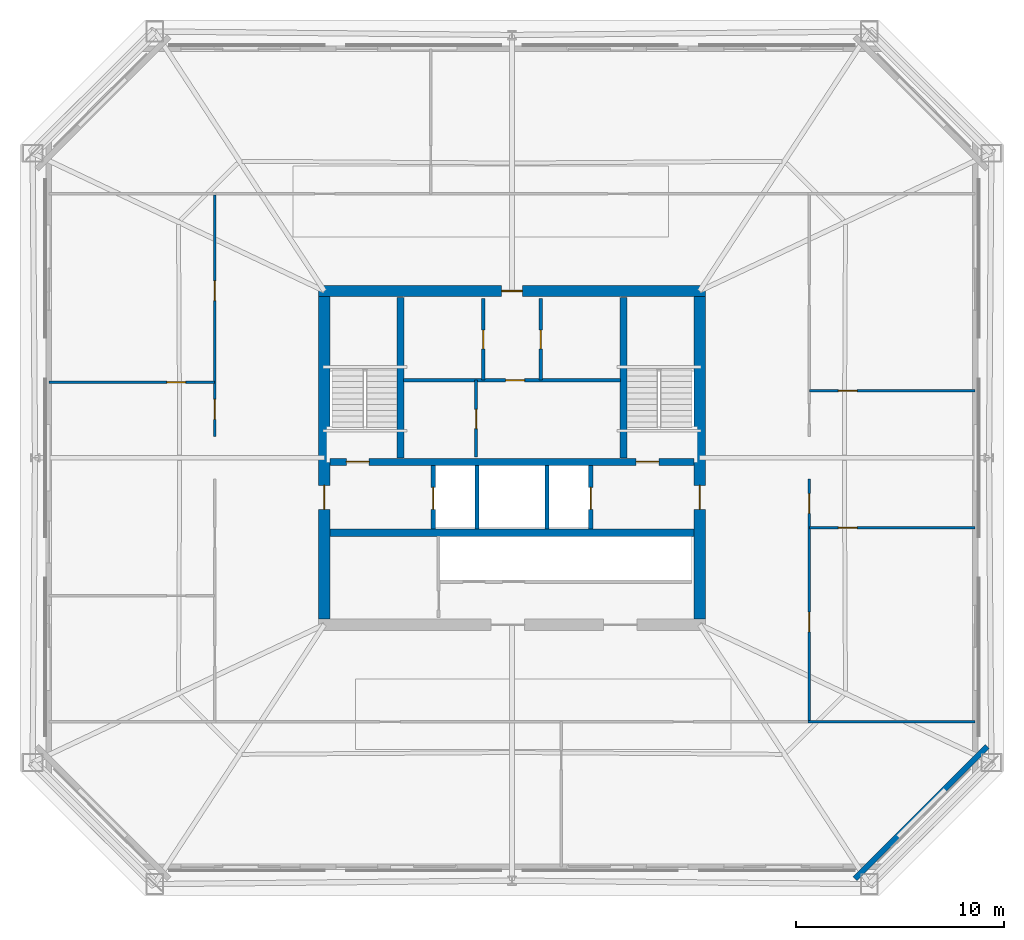
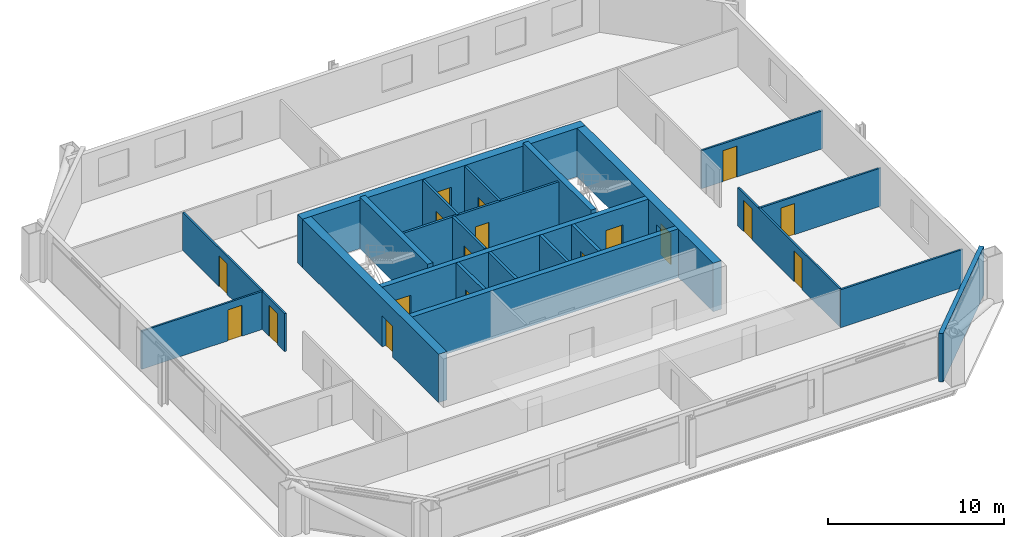
# One storey, part 3 of 6: 22 walls, 18 doors, 18 openings.
"""IFC4 building model written with IfcOpenShell, lengths in metres."""

from ifc_helpers import new_model, si_unit, direction, frame, frame_2d, origin, place, context, subcontext, project, spatial, rectangle, extrude, material, layer, layer_set, type_object, element, fill, save


model = new_model("IFC4")

# Units and contexts
model_context = context("Model", 3, precision=1e-05, world=origin(), true_north=direction((0.0, 1.0)))
body_context = subcontext(model_context, "Body", "Model", "MODEL_VIEW")
ifc_project = project(units=[si_unit("LENGTHUNIT", "METRE"), si_unit("AREAUNIT", "SQUARE_METRE"), si_unit("VOLUMEUNIT", "CUBIC_METRE"), si_unit("PLANEANGLEUNIT", "RADIAN"), si_unit("MASSUNIT", "GRAM", prefix="KILO")], contexts=[model_context])

# Site, building, storey
site_placement = place(None, origin())
site = spatial("IfcSite", under=ifc_project, at=site_placement, CompositionType="ELEMENT")
building_placement = place(site_placement, origin())
building = spatial("IfcBuilding", under=site, at=building_placement, Name="Caelvoria Tower", CompositionType="ELEMENT")
storey_placement = place(building_placement, frame((0.0, 0.0, 120.39990234375)))
storey = spatial("IfcBuildingStorey", under=building, at=storey_placement, Name="L31", CompositionType="ELEMENT", Elevation=120.39990234375)

# Wall, openings, doors
ifc_material_1 = material(Name="Concrete C50/60", Category="concrete")
ifc_layer_1 = layer(ifc_material_1, 0.35009765625, Name="Concrete C50/60")
ifc_layer_set_1 = layer_set([ifc_layer_1], Name="Core Internal Shear Wall 350 - Concrete C50/60")
wall_type_1 = type_object("IfcWallType", Name="Core Internal Shear Wall 350", PredefinedType="SHEAR", material=ifc_layer_set_1)
wall_1_placement = place(storey_placement, frame((37.27490234375, 31.800048828125, 0.0), z_axis=(0.0, 0.0, 1.0), x_axis=(1.0, 0.0, 0.0)))
wall_1 = element("IfcWall", 1, at=wall_1_placement, inside=storey, type_object=wall_type_1, Name="Core Shear Wall L31 M1", PredefinedType="SHEAR", context=body_context, shape_type="SweptSolid", body=[
    extrude(rectangle(XDim=17.4501953125, YDim=0.35009765625, at=frame_2d((8.72509765625, 0.0))), origin(), (0.0, 0.0, 1.0), 3.360107421875),
])
opening_1_placement = place(wall_1_placement, frame((0.77490234375, 0.0, 0.0)))
opening_1 = element("IfcOpeningElement", 2, at=opening_1_placement, cuts=wall_1, Name="Opening ID-01", PredefinedType="OPENING", context=body_context, shape_type="SweptSolid", body=[
    extrude(rectangle(XDim=1.10009765625, YDim=2.14990234375, at=frame_2d((0.550048828125, 1.074951171875))), frame((0.0, 0.18505859375, 0.0), z_axis=(0.0, -1.0, 0.0), x_axis=(1.0, 0.0, 0.0)), (0.0, 0.0, 1.0), 0.3701171875),
])
opening_2_placement = place(wall_1_placement, frame((14.675048828125, 0.0, 0.0)))
opening_2 = element("IfcOpeningElement", 3, at=opening_2_placement, cuts=wall_1, Name="Opening ID-01", PredefinedType="OPENING", context=body_context, shape_type="SweptSolid", body=[
    extrude(rectangle(XDim=1.10009765625, YDim=2.14990234375, at=frame_2d((0.550048828125, 1.074951171875))), frame((0.0, 0.18505859375, 0.0), z_axis=(0.0, -1.0, 0.0), x_axis=(1.0, 0.0, 0.0)), (0.0, 0.0, 1.0), 0.3701171875),
])
ifc_material_2 = material(Name="Painted Hollow Steel Fire Door", Category="steel")
door_type_1 = type_object("IfcDoorType", Name="Fire Door FD90S 1100x2150", OperationType="NOTDEFINED", PredefinedType="DOOR", material=ifc_material_2)
door_1_placement = place(opening_1_placement, origin())
door_1 = element("IfcDoor", 4, at=door_1_placement, inside=storey, type_object=door_type_1, Name="Core Door DR-L31-ST1", OperationType="SINGLE_SWING_LEFT", OverallHeight=2.14990234375, OverallWidth=1.10009765625, PredefinedType="DOOR", context=body_context, shape_type="SweptSolid", body=[
    extrude(rectangle(XDim=1.10009765625, YDim=2.14990234375, at=frame_2d((0.550048828125, 1.074951171875))), frame((0.0, 0.02490234375, 0.0), z_axis=(0.0, -1.0, 0.0), x_axis=(1.0, 0.0, 0.0)), (0.0, 0.0, 1.0), 0.050048828125),
])
fill(opening_1, door_1)
door_2_placement = place(opening_2_placement, origin())
door_2 = element("IfcDoor", 5, at=door_2_placement, inside=storey, type_object=door_type_1, Name="Core Door DR-L31-ST2", OperationType="SINGLE_SWING_RIGHT", OverallHeight=2.14990234375, OverallWidth=1.10009765625, PredefinedType="DOOR", context=body_context, shape_type="SweptSolid", body=[
    extrude(rectangle(XDim=1.10009765625, YDim=2.14990234375, at=frame_2d((0.550048828125, 1.074951171875))), frame((0.0, 0.02490234375, 0.0), z_axis=(0.0, -1.0, 0.0), x_axis=(1.0, 0.0, 0.0)), (0.0, 0.0, 1.0), 0.050048828125),
])
fill(opening_2, door_2)

# Walls
wall_2_placement = place(storey_placement, frame((37.27490234375, 28.39990234375, 0.0), z_axis=(0.0, 0.0, 1.0), x_axis=(1.0, 0.0, 0.0)))
element("IfcWall", 6, at=wall_2_placement, inside=storey, type_object=wall_type_1, Name="Core Shear Wall L31 M2", PredefinedType="SHEAR", context=body_context, shape_type="SweptSolid", body=[
    extrude(rectangle(XDim=17.4501953125, YDim=0.35009765625, at=frame_2d((8.72509765625, 0.0))), origin(), (0.0, 0.0, 1.0), 3.360107421875),
])
for number, where, z_axis, x_axis, name in (
    (7, (40.64990234375, 32.0, 0.0), (0.0, 0.0, 1.0), (0.0, 1.0, 0.0), "Interior Partition IW-L31-ST1E"),
    (8, (51.35009765625, 32.0, 0.0), (0.0, 0.0, 1.0), (0.0, 1.0, 0.0), "Interior Partition IW-L31-ST2W"),
):
    element("IfcWall", number, at=place(storey_placement, frame(where, z_axis=z_axis, x_axis=x_axis)), inside=storey, type_object=wall_type_1, Name=name, PredefinedType="SHEAR", context=body_context, shape_type="SweptSolid", body=[
        extrude(rectangle(XDim=7.699951171875, YDim=0.35009765625, at=frame_2d((3.85009765625, 0.0))), origin(), (0.0, 0.0, 1.0), 3.60009765625),
    ])

# Wall, opening, door
ifc_material_3 = material(Name="Double Gypsum Board on Steel Stud", Category="steel")
ifc_layer_2 = layer(ifc_material_3, 0.14990234375, Name="Double Gypsum Board on Steel Stud")
ifc_layer_set_2 = layer_set([ifc_layer_2], Name="Core Service Acoustic Partition Wall 150 - Double Gypsum Board on Steel Stud")
wall_type_2 = type_object("IfcWallType", Name="Core Service Acoustic Partition Wall 150", PredefinedType="PARTITIONING", material=ifc_layer_set_2)
wall_3_placement = place(storey_placement, frame((44.6201171875, 35.719970703125, 0.0), z_axis=(0.0, 0.0, 1.0), x_axis=(0.0, 1.0, 0.0)))
wall_3 = element("IfcWall", 9, at=wall_3_placement, inside=storey, type_object=wall_type_2, Name="Interior Partition IW-L31-C0L", PredefinedType="PARTITIONING", context=body_context, shape_type="SweptSolid", body=[
    extrude(rectangle(XDim=3.929931640625, YDim=0.14990234375, at=frame_2d((1.96484375, 0.0))), origin(), (0.0, 0.0, 1.0), 3.360107421875),
])
opening_3_placement = place(wall_3_placement, frame((1.5, 0.0, 0.0)))
opening_3 = element("IfcOpeningElement", 10, at=opening_3_placement, cuts=wall_3, Name="Opening ID-06", PredefinedType="OPENING", context=body_context, shape_type="SweptSolid", body=[
    extrude(rectangle(XDim=0.89990234375, YDim=2.14990234375, at=frame_2d((0.449951171875, 1.074951171875))), frame((0.0, 0.0849609375, 0.0), z_axis=(0.0, -1.0, 0.0), x_axis=(1.0, 0.0, 0.0)), (0.0, 0.0, 1.0), 0.169921875),
])
ifc_material_4 = material(Name="Engineered Andean Oak Veneer Door", Category="wood")
door_type_2 = type_object("IfcDoorType", Name="Interior Timber Door 900x2150", OperationType="NOTDEFINED", PredefinedType="DOOR", material=ifc_material_4)
door_3_placement = place(opening_3_placement, origin())
door_3 = element("IfcDoor", 11, at=door_3_placement, inside=storey, type_object=door_type_2, Name="Interior Door DR-L31-C01", OperationType="SINGLE_SWING_LEFT", OverallHeight=2.14990234375, OverallWidth=0.89990234375, PredefinedType="DOOR", context=body_context, shape_type="SweptSolid", body=[
    extrude(rectangle(XDim=0.89990234375, YDim=2.14990234375, at=frame_2d((0.449951171875, 1.074951171875))), frame((0.0, 0.02490234375, 0.0), z_axis=(0.0, -1.0, 0.0), x_axis=(1.0, 0.0, 0.0)), (0.0, 0.0, 1.0), 0.050048828125),
])
fill(opening_3, door_3)

wall_4_placement = place(storey_placement, frame((47.3798828125, 35.719970703125, 0.0), z_axis=(0.0, 0.0, 1.0), x_axis=(0.0, 1.0, 0.0)))
wall_4 = element("IfcWall", 12, at=wall_4_placement, inside=storey, type_object=wall_type_2, Name="Interior Partition IW-L31-C0R", PredefinedType="PARTITIONING", context=body_context, shape_type="SweptSolid", body=[
    extrude(rectangle(XDim=3.929931640625, YDim=0.14990234375, at=frame_2d((1.96484375, 0.0))), origin(), (0.0, 0.0, 1.0), 3.360107421875),
])
opening_4_placement = place(wall_4_placement, frame((1.5, 0.0, 0.0)))
opening_4 = element("IfcOpeningElement", 13, at=opening_4_placement, cuts=wall_4, Name="Opening ID-06", PredefinedType="OPENING", context=body_context, shape_type="SweptSolid", body=[
    extrude(rectangle(XDim=0.89990234375, YDim=2.14990234375, at=frame_2d((0.449951171875, 1.074951171875))), frame((0.0, 0.0849609375, 0.0), z_axis=(0.0, -1.0, 0.0), x_axis=(1.0, 0.0, 0.0)), (0.0, 0.0, 1.0), 0.169921875),
])
door_4_placement = place(opening_4_placement, origin())
door_4 = element("IfcDoor", 14, at=door_4_placement, inside=storey, type_object=door_type_2, Name="Interior Door DR-L31-C02", OperationType="SINGLE_SWING_RIGHT", OverallHeight=2.14990234375, OverallWidth=0.89990234375, PredefinedType="DOOR", context=body_context, shape_type="SweptSolid", body=[
    extrude(rectangle(XDim=0.89990234375, YDim=2.14990234375, at=frame_2d((0.449951171875, 1.074951171875))), frame((0.0, 0.02490234375, 0.0), z_axis=(0.0, -1.0, 0.0), x_axis=(1.0, 0.0, 0.0)), (0.0, 0.0, 1.0), 0.050048828125),
])
fill(opening_4, door_4)

wall_5_placement = place(storey_placement, frame((44.280029296875, 32.050048828125, 0.0), z_axis=(0.0, 0.0, 1.0), x_axis=(0.0, 1.0, 0.0)))
wall_5 = element("IfcWall", 15, at=wall_5_placement, inside=storey, type_object=wall_type_2, Name="Interior Partition IW-L31-C0M", PredefinedType="PARTITIONING", context=body_context, shape_type="SweptSolid", body=[
    extrude(rectangle(XDim=3.669921875, YDim=0.14990234375, at=frame_2d((1.8349609375, 0.0))), origin(), (0.0, 0.0, 1.0), 3.360107421875),
])
opening_5_placement = place(wall_5_placement, frame((1.35009765625, 0.0, 0.0)))
opening_5 = element("IfcOpeningElement", 16, at=opening_5_placement, cuts=wall_5, Name="Opening ID-07", PredefinedType="OPENING", context=body_context, shape_type="SweptSolid", body=[
    extrude(rectangle(XDim=0.919921875, YDim=2.14990234375, at=frame_2d((0.4599609375, 1.074951171875))), frame((0.0, 0.0849609375, 0.0), z_axis=(0.0, -1.0, 0.0), x_axis=(1.0, 0.0, 0.0)), (0.0, 0.0, 1.0), 0.169921875),
])
ifc_material_5 = material(Name="Engineered Andean Oak Accessible Door", Category="wood")
door_type_3 = type_object("IfcDoorType", Name="Accessible WC Door 950x2150", OperationType="NOTDEFINED", PredefinedType="DOOR", material=ifc_material_5)
door_5_placement = place(opening_5_placement, origin())
door_5 = element("IfcDoor", 17, at=door_5_placement, inside=storey, type_object=door_type_3, Name="Interior Door DR-L31-C05", OperationType="SINGLE_SWING_LEFT", OverallHeight=2.14990234375, OverallWidth=0.919921875, PredefinedType="DOOR", context=body_context, shape_type="SweptSolid", body=[
    extrude(rectangle(XDim=0.919921875, YDim=2.14990234375, at=frame_2d((0.4599609375, 1.074951171875))), frame((0.0, 0.02490234375, 0.0), z_axis=(0.0, -1.0, 0.0), x_axis=(1.0, 0.0, 0.0)), (0.0, 0.0, 1.0), 0.050048828125),
])
fill(opening_5, door_5)

wall_6_placement = place(storey_placement, frame((40.800048828125, 35.719970703125, 0.0), z_axis=(0.0, 0.0, 1.0), x_axis=(1.0, 0.0, 0.0)))
wall_6 = element("IfcWall", 18, at=wall_6_placement, inside=storey, type_object=wall_type_2, Name="Interior Partition IW-L31-C0H", PredefinedType="PARTITIONING", context=body_context, shape_type="SweptSolid", body=[
    extrude(rectangle(XDim=10.39990234375, YDim=0.14990234375, at=frame_2d((5.199951171875, 0.0))), origin(), (0.0, 0.0, 1.0), 3.360107421875),
])
opening_6_placement = place(wall_6_placement, frame((4.89990234375, 0.0, 0.0)))
opening_6 = element("IfcOpeningElement", 19, at=opening_6_placement, cuts=wall_6, Name="Opening ID-04", PredefinedType="OPENING", context=body_context, shape_type="SweptSolid", body=[
    extrude(rectangle(XDim=0.89990234375, YDim=2.14990234375, at=frame_2d((0.449951171875, 1.074951171875))), frame((0.0, 0.0849609375, 0.0), z_axis=(0.0, -1.0, 0.0), x_axis=(1.0, 0.0, 0.0)), (0.0, 0.0, 1.0), 0.169921875),
])
ifc_material_6 = material(Name="Acoustic Timber Fire Door", Category="wood")
door_type_4 = type_object("IfcDoorType", Name="Fire Door FD30S 900x2150", OperationType="NOTDEFINED", PredefinedType="DOOR", material=ifc_material_6)
door_6_placement = place(opening_6_placement, origin())
door_6 = element("IfcDoor", 20, at=door_6_placement, inside=storey, type_object=door_type_4, Name="Interior Door DR-L31-C04", OperationType="SINGLE_SWING_RIGHT", OverallHeight=2.14990234375, OverallWidth=0.89990234375, PredefinedType="DOOR", context=body_context, shape_type="SweptSolid", body=[
    extrude(rectangle(XDim=0.89990234375, YDim=2.14990234375, at=frame_2d((0.449951171875, 1.074951171875))), frame((0.0, 0.02490234375, 0.0), z_axis=(0.0, -1.0, 0.0), x_axis=(1.0, 0.0, 0.0)), (0.0, 0.0, 1.0), 0.050048828125),
])
fill(opening_6, door_6)

# Walls
ifc_material_7 = material(Name="Precast Concrete C40/50 with Bronze Cladding", Category="concrete")
ifc_layer_3 = layer(ifc_material_7, 0.280029296875, Name="Precast Concrete C40/50 with Bronze Cladding")
ifc_layer_set_3 = layer_set([ifc_layer_3], Name="Exterior Precast Concrete C40/50 Bronze-Clad Facade Wall 280 - Precast Concrete C40/50 with Bronze Cladding")
wall_type_3 = type_object("IfcWallType", Name="Exterior Precast Concrete C40/50 Bronze-Clad Facade Wall 280", PredefinedType="STANDARD", material=ifc_layer_set_3)
wall_7_placement = place(storey_placement, frame((62.45458984375, 11.80615234375, 0.0), z_axis=(0.0, 0.0, 1.0), x_axis=(0.707106781187, 0.707106781187, 0.0)))
element("IfcWall", 21, at=wall_7_placement, inside=storey, type_object=wall_type_3, Name="Exterior Facade Wall L31-E1", PredefinedType="STANDARD", context=body_context, shape_type="SweptSolid", body=[
    extrude(rectangle(XDim=8.965087890625, YDim=0.280029296875, at=frame_2d((4.482421875, 0.0))), origin(), (0.0, 0.0, 1.0), 3.360107421875),
])
ifc_material_8 = material(Name="Concrete Block and Fireboard Assembly", Category="concrete")
ifc_layer_4 = layer(ifc_material_8, 0.179931640625, Name="Concrete Block and Fireboard Assembly")
ifc_layer_set_4 = layer_set([ifc_layer_4], Name="Fire-Rated Hoistway Partition Wall 180 - Concrete Block and Fireboard Assembly")
wall_type_4 = type_object("IfcWallType", Name="Fire-Rated Hoistway Partition Wall 180", PredefinedType="PARTITIONING", material=ifc_layer_set_4)
for number, where, z_axis, x_axis, name in (
    (22, (44.320068359375, 28.580078125, 0.0), (0.0, 0.0, 1.0), (0.0, 1.0, 0.0), "Interior Partition IW-L31-SV1W"),
    (23, (47.679931640625, 28.580078125, 0.0), (0.0, 0.0, 1.0), (0.0, 1.0, 0.0), "Interior Partition IW-L31-SV1E"),
):
    element("IfcWall", number, at=place(storey_placement, frame(where, z_axis=z_axis, x_axis=x_axis)), inside=storey, type_object=wall_type_4, Name=name, PredefinedType="PARTITIONING", context=body_context, shape_type="SweptSolid", body=[
        extrude(rectangle(XDim=3.0400390625, YDim=0.179931640625, at=frame_2d((1.52001953125, 0.0))), origin(), (0.0, 0.0, 1.0), 3.360107421875),
    ])

# Wall, opening, door
ifc_layer_5 = layer(ifc_material_8, 0.199951171875, Name="Concrete Block and Fireboard Assembly")
ifc_layer_set_5 = layer_set([ifc_layer_5], Name="Fire-Rated Shaft and Core Partition Wall 200 - Concrete Block and Fireboard Assembly")
wall_type_5 = type_object("IfcWallType", Name="Fire-Rated Shaft and Core Partition Wall 200", PredefinedType="PARTITIONING", material=ifc_layer_set_5)
wall_8_placement = place(storey_placement, frame((42.219970703125, 28.580078125, 0.0), z_axis=(0.0, 0.0, 1.0), x_axis=(0.0, 1.0, 0.0)))
wall_8 = element("IfcWall", 24, at=wall_8_placement, inside=storey, type_object=wall_type_5, Name="Interior Partition IW-L31-LF1W", PredefinedType="PARTITIONING", context=body_context, shape_type="SweptSolid", body=[
    extrude(rectangle(XDim=3.0400390625, YDim=0.199951171875, at=frame_2d((1.52001953125, 0.0))), origin(), (0.0, 0.0, 1.0), 3.360107421875),
])
opening_7_placement = place(wall_8_placement, frame((0.949951171875, 0.0, 0.0)))
opening_7 = element("IfcOpeningElement", 25, at=opening_7_placement, cuts=wall_8, Name="Opening LD-01", PredefinedType="OPENING", context=body_context, shape_type="SweptSolid", body=[
    extrude(rectangle(XDim=1.050048828125, YDim=2.14990234375, at=frame_2d((0.52490234375, 1.074951171875))), frame((0.0, 0.10986328125, 0.0), z_axis=(0.0, -1.0, 0.0), x_axis=(1.0, 0.0, 0.0)), (0.0, 0.0, 1.0), 0.219970703125),
])
ifc_material_9 = material(Name="Brushed Bronze Stainless Sliding Landing Door", Category="aluminium")
door_type_5 = type_object("IfcDoorType", Name="Lift Landing Sliding Door 1100x2150", OperationType="NOTDEFINED", PredefinedType="DOOR", material=ifc_material_9)
door_7_placement = place(opening_7_placement, origin())
door_7 = element("IfcDoor", 26, at=door_7_placement, inside=storey, type_object=door_type_5, Name="Interior Door LD-L31-LF1", OperationType="SLIDING_TO_LEFT", OverallHeight=2.14990234375, OverallWidth=1.050048828125, PredefinedType="DOOR", context=body_context, shape_type="SweptSolid", body=[
    extrude(rectangle(XDim=1.050048828125, YDim=2.14990234375, at=frame_2d((0.52490234375, 1.074951171875))), frame((0.0, 0.02490234375, 0.0), z_axis=(0.0, -1.0, 0.0), x_axis=(1.0, 0.0, 0.0)), (0.0, 0.0, 1.0), 0.050048828125),
])
fill(opening_7, door_7)

wall_9_placement = place(storey_placement, frame((49.780029296875, 28.580078125, 0.0), z_axis=(0.0, 0.0, 1.0), x_axis=(0.0, 1.0, 0.0)))
wall_9 = element("IfcWall", 27, at=wall_9_placement, inside=storey, type_object=wall_type_5, Name="Interior Partition IW-L31-LF2E", PredefinedType="PARTITIONING", context=body_context, shape_type="SweptSolid", body=[
    extrude(rectangle(XDim=3.0400390625, YDim=0.199951171875, at=frame_2d((1.52001953125, 0.0))), origin(), (0.0, 0.0, 1.0), 3.360107421875),
])
opening_8_placement = place(wall_9_placement, frame((0.949951171875, 0.0, 0.0)))
opening_8 = element("IfcOpeningElement", 28, at=opening_8_placement, cuts=wall_9, Name="Opening LD-01", PredefinedType="OPENING", context=body_context, shape_type="SweptSolid", body=[
    extrude(rectangle(XDim=1.050048828125, YDim=2.14990234375, at=frame_2d((0.52490234375, 1.074951171875))), frame((0.0, 0.10986328125, 0.0), z_axis=(0.0, -1.0, 0.0), x_axis=(1.0, 0.0, 0.0)), (0.0, 0.0, 1.0), 0.219970703125),
])
door_8_placement = place(opening_8_placement, origin())
door_8 = element("IfcDoor", 29, at=door_8_placement, inside=storey, type_object=door_type_5, Name="Interior Door LD-L31-LF2", OperationType="SLIDING_TO_RIGHT", OverallHeight=2.14990234375, OverallWidth=1.050048828125, PredefinedType="DOOR", context=body_context, shape_type="SweptSolid", body=[
    extrude(rectangle(XDim=1.050048828125, YDim=2.14990234375, at=frame_2d((0.52490234375, 1.074951171875))), frame((0.0, 0.02490234375, 0.0), z_axis=(0.0, -1.0, 0.0), x_axis=(1.0, 0.0, 0.0)), (0.0, 0.0, 1.0), 0.050048828125),
])
fill(opening_8, door_8)

ifc_material_10 = material(Name="Concrete C55/67", Category="concrete")
ifc_layer_6 = layer(ifc_material_10, 0.550048828125, Name="Concrete C55/67")
ifc_layer_set_6 = layer_set([ifc_layer_6], Name="Mid Core Shear Wall 550 - Concrete C55/67")
wall_type_6 = type_object("IfcWallType", Name="Mid Core Shear Wall 550", PredefinedType="SHEAR", material=ifc_layer_set_6)
wall_10_placement = place(storey_placement, frame((36.72509765625, 40.0, 0.0), z_axis=(0.0, 0.0, 1.0), x_axis=(1.0, 0.0, 0.0)))
wall_10 = element("IfcWall", 30, at=wall_10_placement, inside=storey, type_object=wall_type_6, Name="Core Shear Wall L31 N", PredefinedType="SHEAR", context=body_context, shape_type="SweptSolid", body=[
    extrude(rectangle(XDim=18.5498046875, YDim=0.550048828125, at=frame_2d((9.27490234375, 0.0))), origin(), (0.0, 0.0, 1.0), 3.360107421875),
])
opening_9_placement = place(wall_10_placement, frame((8.77490234375, 0.0, 0.0)))
opening_9 = element("IfcOpeningElement", 31, at=opening_9_placement, cuts=wall_10, Name="Opening ID-03", PredefinedType="OPENING", context=body_context, shape_type="SweptSolid", body=[
    extrude(rectangle(XDim=1.0, YDim=2.14990234375, at=frame_2d((0.5, 1.074951171875))), frame((0.0, 0.284912109375, 0.0), z_axis=(0.0, -1.0, 0.0), x_axis=(1.0, 0.0, 0.0)), (0.0, 0.0, 1.0), 0.570068359375),
])
door_type_6 = type_object("IfcDoorType", Name="Fire Door FD60S 1000x2150", OperationType="NOTDEFINED", PredefinedType="DOOR", material=ifc_material_2)
door_9_placement = place(opening_9_placement, origin())
door_9 = element("IfcDoor", 32, at=door_9_placement, inside=storey, type_object=door_type_6, Name="Core Door DR-L31-WC-MAIN", OperationType="SINGLE_SWING_RIGHT", OverallHeight=2.14990234375, OverallWidth=1.0, PredefinedType="DOOR", context=body_context, shape_type="SweptSolid", body=[
    extrude(rectangle(XDim=1.0, YDim=2.14990234375, at=frame_2d((0.5, 1.074951171875))), frame((0.0, 0.02490234375, 0.0), z_axis=(0.0, -1.0, 0.0), x_axis=(1.0, 0.0, 0.0)), (0.0, 0.0, 1.0), 0.050048828125),
])
fill(opening_9, door_9)

wall_11_placement = place(storey_placement, frame((37.0, 24.27490234375, 0.0), z_axis=(0.0, 0.0, 1.0), x_axis=(0.0, 1.0, 0.0)))
wall_11 = element("IfcWall", 33, at=wall_11_placement, inside=storey, type_object=wall_type_6, Name="Core Shear Wall L31 W", PredefinedType="SHEAR", context=body_context, shape_type="SweptSolid", body=[
    extrude(rectangle(XDim=15.4501953125, YDim=0.550048828125, at=frame_2d((7.72509765625, 0.0))), origin(), (0.0, 0.0, 1.0), 3.360107421875),
])
opening_10_placement = place(wall_11_placement, frame((5.25, 0.0, 0.0)))
opening_10 = element("IfcOpeningElement", 34, at=opening_10_placement, cuts=wall_11, Name="Opening ID-02", PredefinedType="OPENING", context=body_context, shape_type="SweptSolid", body=[
    extrude(rectangle(XDim=1.14990234375, YDim=2.14990234375, at=frame_2d((0.574951171875, 1.074951171875))), frame((0.0, 0.284912109375, 0.0), z_axis=(0.0, -1.0, 0.0), x_axis=(1.0, 0.0, 0.0)), (0.0, 0.0, 1.0), 0.570068359375),
])
door_type_7 = type_object("IfcDoorType", Name="Fire Door FD60S 1150x2150", OperationType="NOTDEFINED", PredefinedType="DOOR", material=ifc_material_2)
door_10_placement = place(opening_10_placement, origin())
door_10 = element("IfcDoor", 35, at=door_10_placement, inside=storey, type_object=door_type_7, Name="Core Door DR-L31-FFLW-OUT", OperationType="SINGLE_SWING_LEFT", OverallHeight=2.14990234375, OverallWidth=1.14990234375, PredefinedType="DOOR", context=body_context, shape_type="SweptSolid", body=[
    extrude(rectangle(XDim=1.14990234375, YDim=2.14990234375, at=frame_2d((0.574951171875, 1.074951171875))), frame((0.0, 0.02490234375, 0.0), z_axis=(0.0, -1.0, 0.0), x_axis=(1.0, 0.0, 0.0)), (0.0, 0.0, 1.0), 0.050048828125),
])
fill(opening_10, door_10)

wall_12_placement = place(storey_placement, frame((55.0, 24.27490234375, 0.0), z_axis=(0.0, 0.0, 1.0), x_axis=(0.0, 1.0, 0.0)))
wall_12 = element("IfcWall", 36, at=wall_12_placement, inside=storey, type_object=wall_type_6, Name="Core Shear Wall L31 E", PredefinedType="SHEAR", context=body_context, shape_type="SweptSolid", body=[
    extrude(rectangle(XDim=15.4501953125, YDim=0.550048828125, at=frame_2d((7.72509765625, 0.0))), origin(), (0.0, 0.0, 1.0), 3.360107421875),
])
opening_11_placement = place(wall_12_placement, frame((5.25, 0.0, 0.0)))
opening_11 = element("IfcOpeningElement", 37, at=opening_11_placement, cuts=wall_12, Name="Opening ID-02", PredefinedType="OPENING", context=body_context, shape_type="SweptSolid", body=[
    extrude(rectangle(XDim=1.14990234375, YDim=2.14990234375, at=frame_2d((0.574951171875, 1.074951171875))), frame((0.0, 0.284912109375, 0.0), z_axis=(0.0, -1.0, 0.0), x_axis=(1.0, 0.0, 0.0)), (0.0, 0.0, 1.0), 0.570068359375),
])
door_11_placement = place(opening_11_placement, origin())
door_11 = element("IfcDoor", 38, at=door_11_placement, inside=storey, type_object=door_type_7, Name="Core Door DR-L31-FFLE-OUT", OperationType="SINGLE_SWING_RIGHT", OverallHeight=2.14990234375, OverallWidth=1.14990234375, PredefinedType="DOOR", context=body_context, shape_type="SweptSolid", body=[
    extrude(rectangle(XDim=1.14990234375, YDim=2.14990234375, at=frame_2d((0.574951171875, 1.074951171875))), frame((0.0, 0.02490234375, 0.0), z_axis=(0.0, -1.0, 0.0), x_axis=(1.0, 0.0, 0.0)), (0.0, 0.0, 1.0), 0.050048828125),
])
fill(opening_11, door_11)

ifc_material_11 = material(Name="Acoustic Gypsum Board on Light-Gauge Stud", Category="gypsum")
ifc_layer_7 = layer(ifc_material_11, 0.1201171875, Name="Acoustic Gypsum Board on Light-Gauge Stud")
ifc_layer_set_7 = layer_set([ifc_layer_7], Name="Tenant Suite Acoustic Partition Wall 120 - Acoustic Gypsum Board on Light-Gauge Stud")
wall_type_7 = type_object("IfcWallType", Name="Tenant Suite Acoustic Partition Wall 120", PredefinedType="PARTITIONING", material=ifc_layer_set_7)
wall_13_placement = place(storey_placement, frame((31.739990234375, 35.62255859375, 0.0), z_axis=(0.0, 0.0, 1.0), x_axis=(-1.0, 0.0, 0.0)))
wall_13 = element("IfcWall", 39, at=wall_13_placement, inside=storey, type_object=wall_type_7, Name="Interior Partition IW-L31-WD-01-0", PredefinedType="PARTITIONING", context=body_context, shape_type="SweptSolid", body=[
    extrude(rectangle(XDim=7.9599609375, YDim=0.1201171875, at=frame_2d((3.97998046875, 0.0))), origin(), (0.0, 0.0, 1.0), 2.64013671875),
])
opening_12_placement = place(wall_13_placement, frame((1.39990234375, 0.0, 0.0)))
opening_12 = element("IfcOpeningElement", 40, at=opening_12_placement, cuts=wall_13, Name="Opening ID-06", PredefinedType="OPENING", context=body_context, shape_type="SweptSolid", body=[
    extrude(rectangle(XDim=0.89990234375, YDim=2.14990234375, at=frame_2d((0.449951171875, 1.074951171875))), frame((0.0, 0.070068359375, 0.0), z_axis=(0.0, -1.0, 0.0), x_axis=(1.0, 0.0, 0.0)), (0.0, 0.0, 1.0), 0.14013671875),
])
door_12_placement = place(opening_12_placement, origin())
door_12 = element("IfcDoor", 41, at=door_12_placement, inside=storey, type_object=door_type_2, Name="Interior Door DR-L31-WM-01-0", OperationType="SINGLE_SWING_LEFT", OverallHeight=2.14990234375, OverallWidth=0.89990234375, PredefinedType="DOOR", context=body_context, shape_type="SweptSolid", body=[
    extrude(rectangle(XDim=0.89990234375, YDim=2.14990234375, at=frame_2d((0.449951171875, 1.074951171875))), frame((0.0, 0.02490234375, 0.0), z_axis=(0.0, -1.0, 0.0), x_axis=(1.0, 0.0, 0.0)), (0.0, 0.0, 1.0), 0.050048828125),
])
fill(opening_12, door_12)

# Wall, openings, doors
wall_14_placement = place(storey_placement, frame((31.739990234375, 33.02001953125, 0.0), z_axis=(0.0, 0.0, 1.0), x_axis=(0.0, 1.0, 0.0)))
wall_14 = element("IfcWall", 42, at=wall_14_placement, inside=storey, type_object=wall_type_7, Name="Interior Partition IW-L31-WCW-1", PredefinedType="PARTITIONING", context=body_context, shape_type="SweptSolid", body=[
    extrude(rectangle(XDim=11.580078125, YDim=0.1201171875, at=frame_2d((5.7900390625, 0.0))), origin(), (0.0, 0.0, 1.0), 2.64013671875),
])
opening_13_placement = place(wall_14_placement, frame((0.826416015625, 0.0, 0.0)))
opening_13 = element("IfcOpeningElement", 43, at=opening_13_placement, cuts=wall_14, Name="Opening ID-05", PredefinedType="OPENING", context=body_context, shape_type="SweptSolid", body=[
    extrude(rectangle(XDim=0.949951171875, YDim=2.14990234375, at=frame_2d((0.47509765625, 1.074951171875))), frame((0.0, 0.070068359375, 0.0), z_axis=(0.0, -1.0, 0.0), x_axis=(1.0, 0.0, 0.0)), (0.0, 0.0, 1.0), 0.14013671875),
])
opening_14_placement = place(wall_14_placement, frame((6.516357421875, 0.0, 0.0)))
opening_14 = element("IfcOpeningElement", 44, at=opening_14_placement, cuts=wall_14, Name="Opening ID-05", PredefinedType="OPENING", context=body_context, shape_type="SweptSolid", body=[
    extrude(rectangle(XDim=0.949951171875, YDim=2.14990234375, at=frame_2d((0.47509765625, 1.074951171875))), frame((0.0, 0.070068359375, 0.0), z_axis=(0.0, -1.0, 0.0), x_axis=(1.0, 0.0, 0.0)), (0.0, 0.0, 1.0), 0.14013671875),
])
door_type_8 = type_object("IfcDoorType", Name="Interior Timber Door 950x2150", OperationType="NOTDEFINED", PredefinedType="DOOR", material=ifc_material_4)
door_13_placement = place(opening_13_placement, origin())
door_13 = element("IfcDoor", 45, at=door_13_placement, inside=storey, type_object=door_type_8, Name="Interior Door DR-L31-WC-01-0", OperationType="SINGLE_SWING_LEFT", OverallHeight=2.14990234375, OverallWidth=0.949951171875, PredefinedType="DOOR", context=body_context, shape_type="SweptSolid", body=[
    extrude(rectangle(XDim=0.949951171875, YDim=2.14990234375, at=frame_2d((0.47509765625, 1.074951171875))), frame((0.0, 0.02490234375, 0.0), z_axis=(0.0, -1.0, 0.0), x_axis=(1.0, 0.0, 0.0)), (0.0, 0.0, 1.0), 0.050048828125),
])
fill(opening_13, door_13)
door_14_placement = place(opening_14_placement, origin())
door_14 = element("IfcDoor", 46, at=door_14_placement, inside=storey, type_object=door_type_8, Name="Interior Door DR-L31-WC-02-0", OperationType="SINGLE_SWING_RIGHT", OverallHeight=2.14990234375, OverallWidth=0.949951171875, PredefinedType="DOOR", context=body_context, shape_type="SweptSolid", body=[
    extrude(rectangle(XDim=0.949951171875, YDim=2.14990234375, at=frame_2d((0.47509765625, 1.074951171875))), frame((0.0, 0.02490234375, 0.0), z_axis=(0.0, -1.0, 0.0), x_axis=(1.0, 0.0, 0.0)), (0.0, 0.0, 1.0), 0.050048828125),
])
fill(opening_14, door_14)

# Wall, opening, door
wall_15_placement = place(storey_placement, frame((60.260009765625, 28.642578125, 0.0), z_axis=(0.0, 0.0, 1.0), x_axis=(1.0, 0.0, 0.0)))
wall_15 = element("IfcWall", 47, at=wall_15_placement, inside=storey, type_object=wall_type_7, Name="Interior Partition IW-L31-ED-00-0", PredefinedType="PARTITIONING", context=body_context, shape_type="SweptSolid", body=[
    extrude(rectangle(XDim=7.9599609375, YDim=0.1201171875, at=frame_2d((3.97998046875, 0.0))), origin(), (0.0, 0.0, 1.0), 2.64013671875),
])
opening_15_placement = place(wall_15_placement, frame((1.39990234375, 0.0, 0.0)))
opening_15 = element("IfcOpeningElement", 48, at=opening_15_placement, cuts=wall_15, Name="Opening ID-06", PredefinedType="OPENING", context=body_context, shape_type="SweptSolid", body=[
    extrude(rectangle(XDim=0.89990234375, YDim=2.14990234375, at=frame_2d((0.449951171875, 1.074951171875))), frame((0.0, 0.070068359375, 0.0), z_axis=(0.0, -1.0, 0.0), x_axis=(1.0, 0.0, 0.0)), (0.0, 0.0, 1.0), 0.14013671875),
])
door_15_placement = place(opening_15_placement, origin())
door_15 = element("IfcDoor", 49, at=door_15_placement, inside=storey, type_object=door_type_2, Name="Interior Door DR-L31-EM-00-0", OperationType="SINGLE_SWING_RIGHT", OverallHeight=2.14990234375, OverallWidth=0.89990234375, PredefinedType="DOOR", context=body_context, shape_type="SweptSolid", body=[
    extrude(rectangle(XDim=0.89990234375, YDim=2.14990234375, at=frame_2d((0.449951171875, 1.074951171875))), frame((0.0, 0.02490234375, 0.0), z_axis=(0.0, -1.0, 0.0), x_axis=(1.0, 0.0, 0.0)), (0.0, 0.0, 1.0), 0.050048828125),
])
fill(opening_15, door_15)

wall_16_placement = place(storey_placement, frame((60.260009765625, 35.20947265625, 0.0), z_axis=(0.0, 0.0, 1.0), x_axis=(1.0, 0.0, 0.0)))
wall_16 = element("IfcWall", 50, at=wall_16_placement, inside=storey, type_object=wall_type_7, Name="Interior Partition IW-L31-ED-01-0", PredefinedType="PARTITIONING", context=body_context, shape_type="SweptSolid", body=[
    extrude(rectangle(XDim=7.9599609375, YDim=0.1201171875, at=frame_2d((3.97998046875, 0.0))), origin(), (0.0, 0.0, 1.0), 2.64013671875),
])
opening_16_placement = place(wall_16_placement, frame((1.39990234375, 0.0, 0.0)))
opening_16 = element("IfcOpeningElement", 51, at=opening_16_placement, cuts=wall_16, Name="Opening ID-06", PredefinedType="OPENING", context=body_context, shape_type="SweptSolid", body=[
    extrude(rectangle(XDim=0.89990234375, YDim=2.14990234375, at=frame_2d((0.449951171875, 1.074951171875))), frame((0.0, 0.070068359375, 0.0), z_axis=(0.0, -1.0, 0.0), x_axis=(1.0, 0.0, 0.0)), (0.0, 0.0, 1.0), 0.14013671875),
])
door_16_placement = place(opening_16_placement, origin())
door_16 = element("IfcDoor", 52, at=door_16_placement, inside=storey, type_object=door_type_2, Name="Interior Door DR-L31-EM-01-0", OperationType="SINGLE_SWING_LEFT", OverallHeight=2.14990234375, OverallWidth=0.89990234375, PredefinedType="DOOR", context=body_context, shape_type="SweptSolid", body=[
    extrude(rectangle(XDim=0.89990234375, YDim=2.14990234375, at=frame_2d((0.449951171875, 1.074951171875))), frame((0.0, 0.02490234375, 0.0), z_axis=(0.0, -1.0, 0.0), x_axis=(1.0, 0.0, 0.0)), (0.0, 0.0, 1.0), 0.050048828125),
])
fill(opening_16, door_16)

# Wall, openings, doors
wall_17_placement = place(storey_placement, frame((60.260009765625, 19.39990234375, 0.0), z_axis=(0.0, 0.0, 1.0), x_axis=(0.0, 1.0, 0.0)))
wall_17 = element("IfcWall", 53, at=wall_17_placement, inside=storey, type_object=wall_type_7, Name="Interior Partition IW-L31-ECW-0", PredefinedType="PARTITIONING", context=body_context, shape_type="SweptSolid", body=[
    extrude(rectangle(XDim=11.580078125, YDim=0.1201171875, at=frame_2d((5.7900390625, 0.0))), origin(), (0.0, 0.0, 1.0), 2.64013671875),
])
opening_17_placement = place(wall_17_placement, frame((4.246337890625, 0.0, 0.0)))
opening_17 = element("IfcOpeningElement", 54, at=opening_17_placement, cuts=wall_17, Name="Opening ID-05", PredefinedType="OPENING", context=body_context, shape_type="SweptSolid", body=[
    extrude(rectangle(XDim=0.949951171875, YDim=2.14990234375, at=frame_2d((0.47509765625, 1.074951171875))), frame((0.0, 0.070068359375, 0.0), z_axis=(0.0, -1.0, 0.0), x_axis=(1.0, 0.0, 0.0)), (0.0, 0.0, 1.0), 0.14013671875),
])
opening_18_placement = place(wall_17_placement, frame((9.936279296875, 0.0, 0.0)))
opening_18 = element("IfcOpeningElement", 55, at=opening_18_placement, cuts=wall_17, Name="Opening ID-05", PredefinedType="OPENING", context=body_context, shape_type="SweptSolid", body=[
    extrude(rectangle(XDim=0.949951171875, YDim=2.14990234375, at=frame_2d((0.47509765625, 1.074951171875))), frame((0.0, 0.070068359375, 0.0), z_axis=(0.0, -1.0, 0.0), x_axis=(1.0, 0.0, 0.0)), (0.0, 0.0, 1.0), 0.14013671875),
])
door_17_placement = place(opening_17_placement, origin())
door_17 = element("IfcDoor", 56, at=door_17_placement, inside=storey, type_object=door_type_8, Name="Interior Door DR-L31-EC-00-0", OperationType="SINGLE_SWING_RIGHT", OverallHeight=2.14990234375, OverallWidth=0.949951171875, PredefinedType="DOOR", context=body_context, shape_type="SweptSolid", body=[
    extrude(rectangle(XDim=0.949951171875, YDim=2.14990234375, at=frame_2d((0.47509765625, 1.074951171875))), frame((0.0, 0.02490234375, 0.0), z_axis=(0.0, -1.0, 0.0), x_axis=(1.0, 0.0, 0.0)), (0.0, 0.0, 1.0), 0.050048828125),
])
fill(opening_17, door_17)
door_18_placement = place(opening_18_placement, origin())
door_18 = element("IfcDoor", 57, at=door_18_placement, inside=storey, type_object=door_type_8, Name="Interior Door DR-L31-EC-01-1", OperationType="SINGLE_SWING_RIGHT", OverallHeight=2.14990234375, OverallWidth=0.949951171875, PredefinedType="DOOR", context=body_context, shape_type="SweptSolid", body=[
    extrude(rectangle(XDim=0.949951171875, YDim=2.14990234375, at=frame_2d((0.47509765625, 1.074951171875))), frame((0.0, 0.02490234375, 0.0), z_axis=(0.0, -1.0, 0.0), x_axis=(1.0, 0.0, 0.0)), (0.0, 0.0, 1.0), 0.050048828125),
])
fill(opening_18, door_18)

# Wall
wall_18_placement = place(storey_placement, frame((60.199951171875, 19.340087890625, 0.0), z_axis=(0.0, 0.0, 1.0), x_axis=(1.0, 0.0, 0.0)))
element("IfcWall", 58, at=wall_18_placement, inside=storey, type_object=wall_type_7, Name="Interior Partition IW-L31-BSE-0", PredefinedType="PARTITIONING", context=body_context, shape_type="SweptSolid", body=[
    extrude(rectangle(XDim=8.02001953125, YDim=0.1201171875, at=frame_2d((4.010009765625, 0.0))), origin(), (0.0, 0.0, 1.0), 2.64013671875),
])

save(model, "model.ifc")
